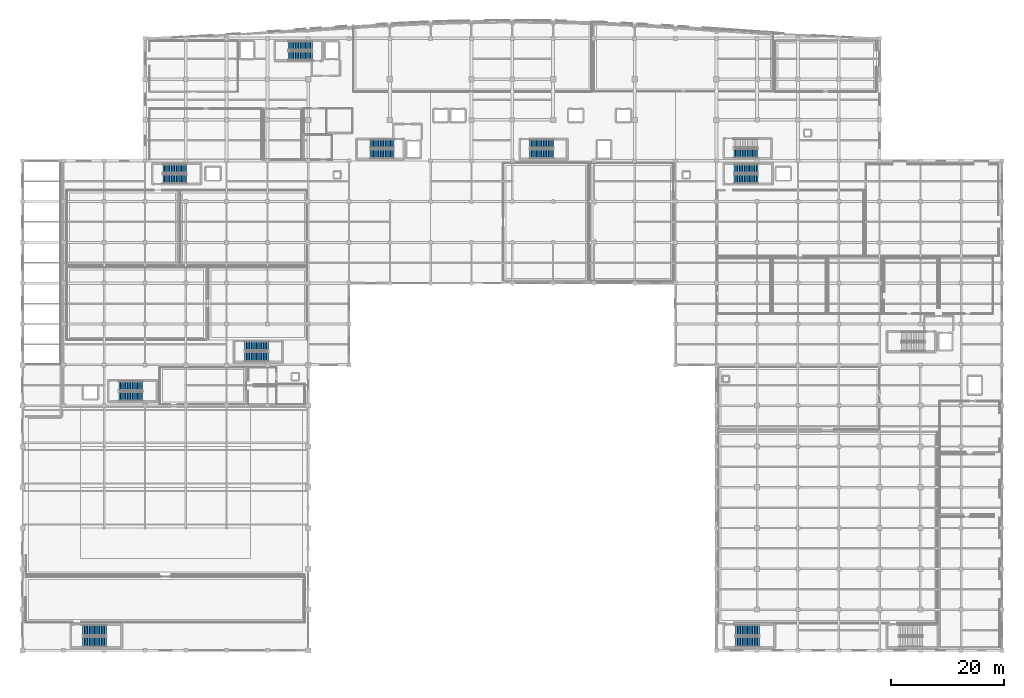
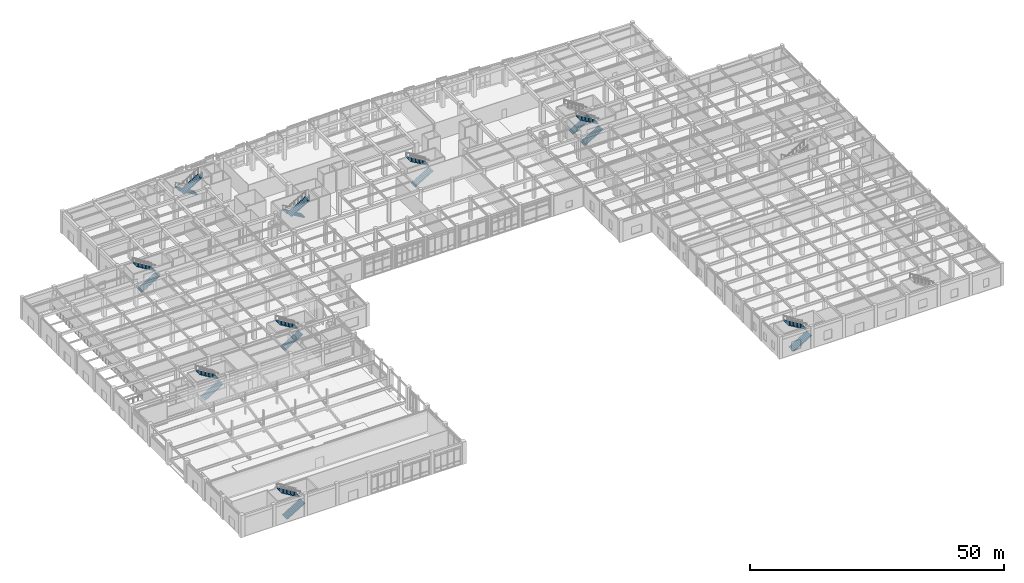
# One storey, part 84 of 102: 19 stair flights, 10 elements without a shape of their own.
"""IFC4 building model written with IfcOpenShell, lengths in metres."""

from ifc_helpers import new_model, si_unit, direction, frame, origin, place, context, subcontext, project, spatial, polyline, outline, extrude, material, type_object, element, aggregate, save


model = new_model("IFC4")

# Units and contexts
model_context = context("Model", 3, precision=1e-05, world=origin(), true_north=direction((0.0, 1.0)))
body_context = subcontext(model_context, "Body", "Model", "MODEL_VIEW")
ifc_project = project(units=[si_unit("LENGTHUNIT", "METRE"), si_unit("AREAUNIT", "SQUARE_METRE"), si_unit("VOLUMEUNIT", "CUBIC_METRE"), si_unit("PLANEANGLEUNIT", "RADIAN"), si_unit("MASSUNIT", "GRAM", prefix="KILO")], contexts=[model_context])

# Site, building, storey
site_placement = place(None, origin())
site = spatial("IfcSite", under=ifc_project, at=site_placement, CompositionType="ELEMENT")
building_placement = place(site_placement, origin())
building = spatial("IfcBuilding", under=site, at=building_placement, Name="Carrowvane Square Congress Hotel", CompositionType="ELEMENT")
storey_placement = place(building_placement, origin())
storey = spatial("IfcBuildingStorey", under=building, at=storey_placement, Name="L00", CompositionType="ELEMENT", Elevation=0.0)

# Stair, stair flights
ifc_material_1 = material(Name="Concrete C35/45", Category="concrete")
stair_type_1 = type_object("IfcStairType", Name="STR-DOG-02", PredefinedType="HALF_TURN_STAIR", material=ifc_material_1)
stair_1_placement = place(storey_placement, origin())
stair_1 = element("IfcStair", 1, at=stair_1_placement, inside=storey, type_object=stair_type_1, Name="L00 Core C1 West Hotel Firefighting Stair", PredefinedType="HALF_TURN_STAIR")
ifc_material_2 = material(Name="Concrete C35/45", Category="concrete")
stair_flight_type_1 = type_object("IfcStairFlightType", Name="SFL-STR-02", PredefinedType="STRAIGHT", material=ifc_material_2)
stair_flight_1_placement = place(storey_placement, frame((62.719970703125, 112.110107421875, 0.0), z_axis=(0.0, 0.0, 1.0), x_axis=(-1.0, 0.0, 0.0)))
stair_flight_1 = element("IfcStairFlight", 2, at=stair_flight_1_placement, type_object=stair_flight_type_1, Name="ST1 flight 1", NumberOfRisers=15, NumberOfTreads=14, PredefinedType="STRAIGHT", RiserHeight=0.18, TreadLength=0.3, context=body_context, shape_type="SweptSolid", body=[
    extrude(outline(polyline([(0.0, 0.0), (0.0, 0.179931640625), (0.300048828125, 0.179931640625), (0.300048828125, 0.360107421875), (0.60009765625, 0.360107421875), (0.60009765625, 0.5400390625), (0.89990234375, 0.5400390625), (0.89990234375, 0.719970703125), (1.199951171875, 0.719970703125), (1.199951171875, 0.89990234375), (1.5, 0.89990234375), (1.5, 1.080078125), (1.800048828125, 1.080078125), (1.800048828125, 1.260009765625), (2.10009765625, 1.260009765625), (2.10009765625, 1.43994140625), (2.39990234375, 1.43994140625), (2.39990234375, 1.6201171875), (2.699951171875, 1.6201171875), (2.699951171875, 1.800048828125), (3.0, 1.800048828125), (3.0, 1.97998046875), (3.300048828125, 1.97998046875), (3.300048828125, 2.159912109375), (3.60009765625, 2.159912109375), (3.60009765625, 2.340087890625), (3.89990234375, 2.340087890625), (3.89990234375, 2.52001953125), (4.199951171875, 2.52001953125), (4.199951171875, 2.699951171875), (4.199951171875, 2.34521484375), (0.291259765625, 0.0), (0.0, 0.0)])), frame((0.0, 0.7900390625, 0.0), z_axis=(0.0, -1.0, 0.0), x_axis=(1.0, 0.0, 0.0)), (0.0, 0.0, 1.0), 1.580078125),
])
stair_flight_2_placement = place(storey_placement, frame((58.52001953125, 110.330078125, 2.699951171875), z_axis=(0.0, 0.0, 1.0), x_axis=(1.0, 0.0, 0.0)))
stair_flight_2 = element("IfcStairFlight", 3, at=stair_flight_2_placement, type_object=stair_flight_type_1, Name="ST1 flight 2", NumberOfRisers=15, NumberOfTreads=14, PredefinedType="STRAIGHT", RiserHeight=0.18, TreadLength=0.3, context=body_context, shape_type="SweptSolid", body=[
    extrude(outline(polyline([(0.0, 0.0), (0.0, 0.179931640625), (0.300048828125, 0.179931640625), (0.300048828125, 0.360107421875), (0.60009765625, 0.360107421875), (0.60009765625, 0.5400390625), (0.89990234375, 0.5400390625), (0.89990234375, 0.719970703125), (1.199951171875, 0.719970703125), (1.199951171875, 0.89990234375), (1.5, 0.89990234375), (1.5, 1.080078125), (1.800048828125, 1.080078125), (1.800048828125, 1.260009765625), (2.10009765625, 1.260009765625), (2.10009765625, 1.43994140625), (2.39990234375, 1.43994140625), (2.39990234375, 1.6201171875), (2.699951171875, 1.6201171875), (2.699951171875, 1.800048828125), (3.0, 1.800048828125), (3.0, 1.97998046875), (3.300048828125, 1.97998046875), (3.300048828125, 2.159912109375), (3.60009765625, 2.159912109375), (3.60009765625, 2.340087890625), (3.89990234375, 2.340087890625), (3.89990234375, 2.52001953125), (4.199951171875, 2.52001953125), (4.199951171875, 2.699951171875), (4.199951171875, 2.34521484375), (0.291259765625, 0.0), (0.0, 0.0)])), frame((0.0, 0.7900390625, 0.0), z_axis=(0.0, -1.0, 0.0), x_axis=(1.0, 0.0, 0.0)), (0.0, 0.0, 1.0), 1.580078125),
])
aggregate(stair_1, [stair_flight_1, stair_flight_2])

stair_2_placement = place(storey_placement, origin())
stair_2 = element("IfcStair", 4, at=stair_2_placement, inside=storey, type_object=stair_type_1, Name="L00 Core C2 Central Hotel Firefighting Stair", PredefinedType="HALF_TURN_STAIR")
stair_flight_3_placement = place(storey_placement, frame((77.1201171875, 94.77001953125, 0.0), z_axis=(0.0, 0.0, 1.0), x_axis=(-1.0, 0.0, 0.0)))
stair_flight_3 = element("IfcStairFlight", 5, at=stair_flight_3_placement, type_object=stair_flight_type_1, Name="ST2 flight 1", NumberOfRisers=15, NumberOfTreads=14, PredefinedType="STRAIGHT", RiserHeight=0.18, TreadLength=0.3, context=body_context, shape_type="SweptSolid", body=[
    extrude(outline(polyline([(0.0, 0.0), (0.0, 0.179931640625), (0.300048828125, 0.179931640625), (0.300048828125, 0.360107421875), (0.60009765625, 0.360107421875), (0.60009765625, 0.5400390625), (0.89990234375, 0.5400390625), (0.89990234375, 0.719970703125), (1.199951171875, 0.719970703125), (1.199951171875, 0.89990234375), (1.5, 0.89990234375), (1.5, 1.080078125), (1.800048828125, 1.080078125), (1.800048828125, 1.260009765625), (2.10009765625, 1.260009765625), (2.10009765625, 1.43994140625), (2.39990234375, 1.43994140625), (2.39990234375, 1.6201171875), (2.699951171875, 1.6201171875), (2.699951171875, 1.800048828125), (3.0, 1.800048828125), (3.0, 1.97998046875), (3.300048828125, 1.97998046875), (3.300048828125, 2.159912109375), (3.60009765625, 2.159912109375), (3.60009765625, 2.340087890625), (3.89990234375, 2.340087890625), (3.89990234375, 2.52001953125), (4.199951171875, 2.52001953125), (4.199951171875, 2.699951171875), (4.199951171875, 2.34521484375), (0.291259765625, 0.0), (0.0, 0.0)])), frame((0.0, 0.7900390625, 0.0), z_axis=(0.0, -1.0, 0.0), x_axis=(1.0, 0.0, 0.0)), (0.0, 0.0, 1.0), 1.580078125),
])
stair_flight_4_placement = place(storey_placement, frame((72.919921875, 92.989990234375, 2.699951171875), z_axis=(0.0, 0.0, 1.0), x_axis=(1.0, 0.0, 0.0)))
stair_flight_4 = element("IfcStairFlight", 6, at=stair_flight_4_placement, type_object=stair_flight_type_1, Name="ST2 flight 2", NumberOfRisers=15, NumberOfTreads=14, PredefinedType="STRAIGHT", RiserHeight=0.18, TreadLength=0.3, context=body_context, shape_type="SweptSolid", body=[
    extrude(outline(polyline([(0.0, 0.0), (0.0, 0.179931640625), (0.300048828125, 0.179931640625), (0.300048828125, 0.360107421875), (0.60009765625, 0.360107421875), (0.60009765625, 0.5400390625), (0.89990234375, 0.5400390625), (0.89990234375, 0.719970703125), (1.199951171875, 0.719970703125), (1.199951171875, 0.89990234375), (1.5, 0.89990234375), (1.5, 1.080078125), (1.800048828125, 1.080078125), (1.800048828125, 1.260009765625), (2.10009765625, 1.260009765625), (2.10009765625, 1.43994140625), (2.39990234375, 1.43994140625), (2.39990234375, 1.6201171875), (2.699951171875, 1.6201171875), (2.699951171875, 1.800048828125), (3.0, 1.800048828125), (3.0, 1.97998046875), (3.300048828125, 1.97998046875), (3.300048828125, 2.159912109375), (3.60009765625, 2.159912109375), (3.60009765625, 2.340087890625), (3.89990234375, 2.340087890625), (3.89990234375, 2.52001953125), (4.199951171875, 2.52001953125), (4.199951171875, 2.699951171875), (4.199951171875, 2.34521484375), (0.291259765625, 0.0), (0.0, 0.0)])), frame((0.0, 0.7900390625, 0.0), z_axis=(0.0, -1.0, 0.0), x_axis=(1.0, 0.0, 0.0)), (0.0, 0.0, 1.0), 1.580078125),
])
aggregate(stair_2, [stair_flight_3, stair_flight_4])

stair_3_placement = place(storey_placement, origin())
stair_3 = element("IfcStair", 7, at=stair_3_placement, inside=storey, type_object=stair_type_1, Name="L00 Core C3 East Hotel Escape Stair", PredefinedType="HALF_TURN_STAIR")
stair_flight_5_placement = place(storey_placement, frame((101.080078125, 92.989990234375, 0.0), z_axis=(0.0, 0.0, 1.0), x_axis=(1.0, 0.0, 0.0)))
stair_flight_5 = element("IfcStairFlight", 8, at=stair_flight_5_placement, type_object=stair_flight_type_1, Name="ST3 flight 1", NumberOfRisers=15, NumberOfTreads=14, PredefinedType="STRAIGHT", RiserHeight=0.18, TreadLength=0.3, context=body_context, shape_type="SweptSolid", body=[
    extrude(outline(polyline([(0.0, 0.0), (0.0, 0.179931640625), (0.300048828125, 0.179931640625), (0.300048828125, 0.360107421875), (0.60009765625, 0.360107421875), (0.60009765625, 0.5400390625), (0.89990234375, 0.5400390625), (0.89990234375, 0.719970703125), (1.199951171875, 0.719970703125), (1.199951171875, 0.89990234375), (1.5, 0.89990234375), (1.5, 1.080078125), (1.800048828125, 1.080078125), (1.800048828125, 1.260009765625), (2.10009765625, 1.260009765625), (2.10009765625, 1.43994140625), (2.39990234375, 1.43994140625), (2.39990234375, 1.6201171875), (2.699951171875, 1.6201171875), (2.699951171875, 1.800048828125), (3.0, 1.800048828125), (3.0, 1.97998046875), (3.300048828125, 1.97998046875), (3.300048828125, 2.159912109375), (3.60009765625, 2.159912109375), (3.60009765625, 2.340087890625), (3.89990234375, 2.340087890625), (3.89990234375, 2.52001953125), (4.199951171875, 2.52001953125), (4.199951171875, 2.699951171875), (4.199951171875, 2.34521484375), (0.291259765625, 0.0), (0.0, 0.0)])), frame((0.0, 0.7900390625, 0.0), z_axis=(0.0, -1.0, 0.0), x_axis=(1.0, 0.0, 0.0)), (0.0, 0.0, 1.0), 1.580078125),
])
stair_flight_6_placement = place(storey_placement, frame((105.280029296875, 94.77001953125, 2.699951171875), z_axis=(0.0, 0.0, 1.0), x_axis=(-1.0, 0.0, 0.0)))
stair_flight_6 = element("IfcStairFlight", 9, at=stair_flight_6_placement, type_object=stair_flight_type_1, Name="ST3 flight 2", NumberOfRisers=15, NumberOfTreads=14, PredefinedType="STRAIGHT", RiserHeight=0.18, TreadLength=0.3, context=body_context, shape_type="SweptSolid", body=[
    extrude(outline(polyline([(0.0, 0.0), (0.0, 0.179931640625), (0.300048828125, 0.179931640625), (0.300048828125, 0.360107421875), (0.60009765625, 0.360107421875), (0.60009765625, 0.5400390625), (0.89990234375, 0.5400390625), (0.89990234375, 0.719970703125), (1.199951171875, 0.719970703125), (1.199951171875, 0.89990234375), (1.5, 0.89990234375), (1.5, 1.080078125), (1.800048828125, 1.080078125), (1.800048828125, 1.260009765625), (2.10009765625, 1.260009765625), (2.10009765625, 1.43994140625), (2.39990234375, 1.43994140625), (2.39990234375, 1.6201171875), (2.699951171875, 1.6201171875), (2.699951171875, 1.800048828125), (3.0, 1.800048828125), (3.0, 1.97998046875), (3.300048828125, 1.97998046875), (3.300048828125, 2.159912109375), (3.60009765625, 2.159912109375), (3.60009765625, 2.340087890625), (3.89990234375, 2.340087890625), (3.89990234375, 2.52001953125), (4.199951171875, 2.52001953125), (4.199951171875, 2.699951171875), (4.199951171875, 2.34521484375), (0.291259765625, 0.0), (0.0, 0.0)])), frame((0.0, 0.7900390625, 0.0), z_axis=(0.0, -1.0, 0.0), x_axis=(1.0, 0.0, 0.0)), (0.0, 0.0, 1.0), 1.580078125),
])
aggregate(stair_3, [stair_flight_5, stair_flight_6])

# Stair, stair flight
stair_4_placement = place(storey_placement, origin())
stair_4 = element("IfcStair", 10, at=stair_4_placement, inside=storey, type_object=stair_type_1, Name="L00 East Hotel Wing Escape Stair", PredefinedType="HALF_TURN_STAIR")
stair_flight_7_placement = place(storey_placement, frame((137.080078125, 93.090087890625, 0.0), z_axis=(0.0, 0.0, 1.0), x_axis=(1.0, 0.0, 0.0)))
stair_flight_7 = element("IfcStairFlight", 11, at=stair_flight_7_placement, type_object=stair_flight_type_1, Name="ST12 flight 1", NumberOfRisers=15, NumberOfTreads=14, PredefinedType="STRAIGHT", RiserHeight=0.18, TreadLength=0.3, context=body_context, shape_type="SweptSolid", body=[
    extrude(outline(polyline([(0.0, 0.0), (0.0, 0.179931640625), (0.300048828125, 0.179931640625), (0.300048828125, 0.360107421875), (0.60009765625, 0.360107421875), (0.60009765625, 0.5400390625), (0.89990234375, 0.5400390625), (0.89990234375, 0.719970703125), (1.199951171875, 0.719970703125), (1.199951171875, 0.89990234375), (1.5, 0.89990234375), (1.5, 1.080078125), (1.800048828125, 1.080078125), (1.800048828125, 1.260009765625), (2.10009765625, 1.260009765625), (2.10009765625, 1.43994140625), (2.39990234375, 1.43994140625), (2.39990234375, 1.6201171875), (2.699951171875, 1.6201171875), (2.699951171875, 1.800048828125), (3.0, 1.800048828125), (3.0, 1.97998046875), (3.300048828125, 1.97998046875), (3.300048828125, 2.159912109375), (3.60009765625, 2.159912109375), (3.60009765625, 2.340087890625), (3.89990234375, 2.340087890625), (3.89990234375, 2.52001953125), (4.199951171875, 2.52001953125), (4.199951171875, 2.699951171875), (4.199951171875, 2.34521484375), (0.291259765625, 0.0), (0.0, 0.0)])), frame((0.0, 0.7900390625, 0.0), z_axis=(0.0, -1.0, 0.0), x_axis=(1.0, 0.0, 0.0)), (0.0, 0.0, 1.0), 1.580078125),
])
aggregate(stair_4, [stair_flight_7])

# Stair, stair flights
ifc_material_3 = material(Name="Concrete C35/45", Category="concrete")
stair_type_2 = type_object("IfcStairType", Name="STR-DOG-06", PredefinedType="HALF_TURN_STAIR", material=ifc_material_3)
stair_5_placement = place(storey_placement, origin())
stair_5 = element("IfcStair", 12, at=stair_5_placement, inside=storey, type_object=stair_type_2, Name="L00 Core C5 West Spa Escape Stair", PredefinedType="HALF_TURN_STAIR")
ifc_material_4 = material(Name="Concrete C35/45", Category="concrete")
stair_flight_type_2 = type_object("IfcStairFlightType", Name="SFL-STR-06", PredefinedType="STRAIGHT", material=ifc_material_4)
stair_flight_8_placement = place(storey_placement, frame((36.35009765625, 88.60009765625, 0.0), z_axis=(0.0, 0.0, 1.0), x_axis=(1.0, 0.0, 0.0)))
stair_flight_8 = element("IfcStairFlight", 13, at=stair_flight_8_placement, type_object=stair_flight_type_2, Name="ST5 flight 1", NumberOfRisers=15, NumberOfTreads=14, PredefinedType="STRAIGHT", RiserHeight=0.18, TreadLength=0.3, context=body_context, shape_type="SweptSolid", body=[
    extrude(outline(polyline([(0.0, 0.0), (0.0, 0.179931640625), (0.300048828125, 0.179931640625), (0.300048828125, 0.360107421875), (0.60009765625, 0.360107421875), (0.60009765625, 0.5400390625), (0.89990234375, 0.5400390625), (0.89990234375, 0.719970703125), (1.199951171875, 0.719970703125), (1.199951171875, 0.89990234375), (1.5, 0.89990234375), (1.5, 1.080078125), (1.800048828125, 1.080078125), (1.800048828125, 1.260009765625), (2.10009765625, 1.260009765625), (2.10009765625, 1.43994140625), (2.39990234375, 1.43994140625), (2.39990234375, 1.6201171875), (2.699951171875, 1.6201171875), (2.699951171875, 1.800048828125), (3.0, 1.800048828125), (3.0, 1.97998046875), (3.300048828125, 1.97998046875), (3.300048828125, 2.159912109375), (3.60009765625, 2.159912109375), (3.60009765625, 2.340087890625), (3.89990234375, 2.340087890625), (3.89990234375, 2.52001953125), (4.199951171875, 2.52001953125), (4.199951171875, 2.699951171875), (4.199951171875, 2.34521484375), (0.291259765625, 0.0), (0.0, 0.0)])), frame((0.0, 0.800048828125, 0.0), z_axis=(0.0, -1.0, 0.0), x_axis=(1.0, 0.0, 0.0)), (0.0, 0.0, 1.0), 1.60009765625),
])
stair_flight_9_placement = place(storey_placement, frame((40.550048828125, 90.39990234375, 2.699951171875), z_axis=(0.0, 0.0, 1.0), x_axis=(-1.0, 0.0, 0.0)))
stair_flight_9 = element("IfcStairFlight", 14, at=stair_flight_9_placement, type_object=stair_flight_type_2, Name="ST5 flight 2", NumberOfRisers=15, NumberOfTreads=14, PredefinedType="STRAIGHT", RiserHeight=0.18, TreadLength=0.3, context=body_context, shape_type="SweptSolid", body=[
    extrude(outline(polyline([(0.0, 0.0), (0.0, 0.179931640625), (0.300048828125, 0.179931640625), (0.300048828125, 0.360107421875), (0.60009765625, 0.360107421875), (0.60009765625, 0.5400390625), (0.89990234375, 0.5400390625), (0.89990234375, 0.719970703125), (1.199951171875, 0.719970703125), (1.199951171875, 0.89990234375), (1.5, 0.89990234375), (1.5, 1.080078125), (1.800048828125, 1.080078125), (1.800048828125, 1.260009765625), (2.10009765625, 1.260009765625), (2.10009765625, 1.43994140625), (2.39990234375, 1.43994140625), (2.39990234375, 1.6201171875), (2.699951171875, 1.6201171875), (2.699951171875, 1.800048828125), (3.0, 1.800048828125), (3.0, 1.97998046875), (3.300048828125, 1.97998046875), (3.300048828125, 2.159912109375), (3.60009765625, 2.159912109375), (3.60009765625, 2.340087890625), (3.89990234375, 2.340087890625), (3.89990234375, 2.52001953125), (4.199951171875, 2.52001953125), (4.199951171875, 2.699951171875), (4.199951171875, 2.34521484375), (0.291259765625, 0.0), (0.0, 0.0)])), frame((0.0, 0.800048828125, 0.0), z_axis=(0.0, -1.0, 0.0), x_axis=(1.0, 0.0, 0.0)), (0.0, 0.0, 1.0), 1.60009765625),
])
aggregate(stair_5, [stair_flight_8, stair_flight_9])

stair_6_placement = place(storey_placement, origin())
stair_6 = element("IfcStair", 15, at=stair_6_placement, inside=storey, type_object=stair_type_2, Name="L00 Meeting Wing Escape Stair", PredefinedType="HALF_TURN_STAIR")
stair_flight_10_placement = place(storey_placement, frame((137.14990234375, 88.60009765625, 0.0), z_axis=(0.0, 0.0, 1.0), x_axis=(1.0, 0.0, 0.0)))
stair_flight_10 = element("IfcStairFlight", 16, at=stair_flight_10_placement, type_object=stair_flight_type_2, Name="ST8 flight 1", NumberOfRisers=15, NumberOfTreads=14, PredefinedType="STRAIGHT", RiserHeight=0.18, TreadLength=0.3, context=body_context, shape_type="SweptSolid", body=[
    extrude(outline(polyline([(0.0, 0.0), (0.0, 0.179931640625), (0.300048828125, 0.179931640625), (0.300048828125, 0.360107421875), (0.60009765625, 0.360107421875), (0.60009765625, 0.5400390625), (0.89990234375, 0.5400390625), (0.89990234375, 0.719970703125), (1.199951171875, 0.719970703125), (1.199951171875, 0.89990234375), (1.5, 0.89990234375), (1.5, 1.080078125), (1.800048828125, 1.080078125), (1.800048828125, 1.260009765625), (2.10009765625, 1.260009765625), (2.10009765625, 1.43994140625), (2.39990234375, 1.43994140625), (2.39990234375, 1.6201171875), (2.699951171875, 1.6201171875), (2.699951171875, 1.800048828125), (3.0, 1.800048828125), (3.0, 1.97998046875), (3.300048828125, 1.97998046875), (3.300048828125, 2.159912109375), (3.60009765625, 2.159912109375), (3.60009765625, 2.340087890625), (3.89990234375, 2.340087890625), (3.89990234375, 2.52001953125), (4.199951171875, 2.52001953125), (4.199951171875, 2.699951171875), (4.199951171875, 2.34521484375), (0.291259765625, 0.0), (0.0, 0.0)])), frame((0.0, 0.800048828125, 0.0), z_axis=(0.0, -1.0, 0.0), x_axis=(1.0, 0.0, 0.0)), (0.0, 0.0, 1.0), 1.60009765625),
])
stair_flight_11_placement = place(storey_placement, frame((141.35009765625, 90.39990234375, 2.699951171875), z_axis=(0.0, 0.0, 1.0), x_axis=(-1.0, 0.0, 0.0)))
stair_flight_11 = element("IfcStairFlight", 17, at=stair_flight_11_placement, type_object=stair_flight_type_2, Name="ST8 flight 2", NumberOfRisers=15, NumberOfTreads=14, PredefinedType="STRAIGHT", RiserHeight=0.18, TreadLength=0.3, context=body_context, shape_type="SweptSolid", body=[
    extrude(outline(polyline([(0.0, 0.0), (0.0, 0.179931640625), (0.300048828125, 0.179931640625), (0.300048828125, 0.360107421875), (0.60009765625, 0.360107421875), (0.60009765625, 0.5400390625), (0.89990234375, 0.5400390625), (0.89990234375, 0.719970703125), (1.199951171875, 0.719970703125), (1.199951171875, 0.89990234375), (1.5, 0.89990234375), (1.5, 1.080078125), (1.800048828125, 1.080078125), (1.800048828125, 1.260009765625), (2.10009765625, 1.260009765625), (2.10009765625, 1.43994140625), (2.39990234375, 1.43994140625), (2.39990234375, 1.6201171875), (2.699951171875, 1.6201171875), (2.699951171875, 1.800048828125), (3.0, 1.800048828125), (3.0, 1.97998046875), (3.300048828125, 1.97998046875), (3.300048828125, 2.159912109375), (3.60009765625, 2.159912109375), (3.60009765625, 2.340087890625), (3.89990234375, 2.340087890625), (3.89990234375, 2.52001953125), (4.199951171875, 2.52001953125), (4.199951171875, 2.699951171875), (4.199951171875, 2.34521484375), (0.291259765625, 0.0), (0.0, 0.0)])), frame((0.0, 0.800048828125, 0.0), z_axis=(0.0, -1.0, 0.0), x_axis=(1.0, 0.0, 0.0)), (0.0, 0.0, 1.0), 1.60009765625),
])
aggregate(stair_6, [stair_flight_10, stair_flight_11])

ifc_material_5 = material(Name="Concrete C35/45", Category="concrete")
stair_type_3 = type_object("IfcStairType", Name="STR-DOG-09", PredefinedType="HALF_TURN_STAIR", material=ifc_material_5)
stair_7_placement = place(storey_placement, origin())
stair_7 = element("IfcStair", 18, at=stair_7_placement, inside=storey, type_object=stair_type_3, Name="L00 Plenary North-West Escape Stair", PredefinedType="HALF_TURN_STAIR")
ifc_material_6 = material(Name="Concrete C35/45", Category="concrete")
stair_flight_type_3 = type_object("IfcStairFlightType", Name="SFL-STR-09", PredefinedType="STRAIGHT", material=ifc_material_6)
stair_flight_12_placement = place(storey_placement, frame((28.580078125, 50.22998046875, 0.0), z_axis=(0.0, 0.0, 1.0), x_axis=(1.0, 0.0, 0.0)))
stair_flight_12 = element("IfcStairFlight", 19, at=stair_flight_12_placement, type_object=stair_flight_type_3, Name="ST6 flight 1", NumberOfRisers=15, NumberOfTreads=14, PredefinedType="STRAIGHT", RiserHeight=0.18, TreadLength=0.3, context=body_context, shape_type="SweptSolid", body=[
    extrude(outline(polyline([(0.0, 0.0), (0.0, 0.179931640625), (0.300048828125, 0.179931640625), (0.300048828125, 0.360107421875), (0.60009765625, 0.360107421875), (0.60009765625, 0.5400390625), (0.89990234375, 0.5400390625), (0.89990234375, 0.719970703125), (1.199951171875, 0.719970703125), (1.199951171875, 0.89990234375), (1.5, 0.89990234375), (1.5, 1.080078125), (1.800048828125, 1.080078125), (1.800048828125, 1.260009765625), (2.10009765625, 1.260009765625), (2.10009765625, 1.43994140625), (2.39990234375, 1.43994140625), (2.39990234375, 1.6201171875), (2.699951171875, 1.6201171875), (2.699951171875, 1.800048828125), (3.0, 1.800048828125), (3.0, 1.97998046875), (3.300048828125, 1.97998046875), (3.300048828125, 2.159912109375), (3.60009765625, 2.159912109375), (3.60009765625, 2.340087890625), (3.89990234375, 2.340087890625), (3.89990234375, 2.52001953125), (4.199951171875, 2.52001953125), (4.199951171875, 2.699951171875), (4.199951171875, 2.34521484375), (0.291259765625, 0.0), (0.0, 0.0)])), frame((0.0, 0.830078125, 0.0), z_axis=(0.0, -1.0, 0.0), x_axis=(1.0, 0.0, 0.0)), (0.0, 0.0, 1.0), 1.659912109375),
])
stair_flight_13_placement = place(storey_placement, frame((32.780029296875, 52.090087890625, 2.699951171875), z_axis=(0.0, 0.0, 1.0), x_axis=(-1.0, 0.0, 0.0)))
stair_flight_13 = element("IfcStairFlight", 20, at=stair_flight_13_placement, type_object=stair_flight_type_3, Name="ST6 flight 2", NumberOfRisers=15, NumberOfTreads=14, PredefinedType="STRAIGHT", RiserHeight=0.18, TreadLength=0.3, context=body_context, shape_type="SweptSolid", body=[
    extrude(outline(polyline([(0.0, 0.0), (0.0, 0.179931640625), (0.300048828125, 0.179931640625), (0.300048828125, 0.360107421875), (0.60009765625, 0.360107421875), (0.60009765625, 0.5400390625), (0.89990234375, 0.5400390625), (0.89990234375, 0.719970703125), (1.199951171875, 0.719970703125), (1.199951171875, 0.89990234375), (1.5, 0.89990234375), (1.5, 1.080078125), (1.800048828125, 1.080078125), (1.800048828125, 1.260009765625), (2.10009765625, 1.260009765625), (2.10009765625, 1.43994140625), (2.39990234375, 1.43994140625), (2.39990234375, 1.6201171875), (2.699951171875, 1.6201171875), (2.699951171875, 1.800048828125), (3.0, 1.800048828125), (3.0, 1.97998046875), (3.300048828125, 1.97998046875), (3.300048828125, 2.159912109375), (3.60009765625, 2.159912109375), (3.60009765625, 2.340087890625), (3.89990234375, 2.340087890625), (3.89990234375, 2.52001953125), (4.199951171875, 2.52001953125), (4.199951171875, 2.699951171875), (4.199951171875, 2.34521484375), (0.291259765625, 0.0), (0.0, 0.0)])), frame((0.0, 0.830078125, 0.0), z_axis=(0.0, -1.0, 0.0), x_axis=(1.0, 0.0, 0.0)), (0.0, 0.0, 1.0), 1.659912109375),
])
aggregate(stair_7, [stair_flight_12, stair_flight_13])

stair_8_placement = place(storey_placement, origin())
stair_8 = element("IfcStair", 21, at=stair_8_placement, inside=storey, type_object=stair_type_3, Name="L00 Spa Courtyard Escape Stair", PredefinedType="HALF_TURN_STAIR")
stair_flight_14_placement = place(storey_placement, frame((50.780029296875, 57.22998046875, 0.0), z_axis=(0.0, 0.0, 1.0), x_axis=(1.0, 0.0, 0.0)))
stair_flight_14 = element("IfcStairFlight", 22, at=stair_flight_14_placement, type_object=stair_flight_type_3, Name="ST7 flight 1", NumberOfRisers=15, NumberOfTreads=14, PredefinedType="STRAIGHT", RiserHeight=0.18, TreadLength=0.3, context=body_context, shape_type="SweptSolid", body=[
    extrude(outline(polyline([(0.0, 0.0), (0.0, 0.179931640625), (0.300048828125, 0.179931640625), (0.300048828125, 0.360107421875), (0.60009765625, 0.360107421875), (0.60009765625, 0.5400390625), (0.89990234375, 0.5400390625), (0.89990234375, 0.719970703125), (1.199951171875, 0.719970703125), (1.199951171875, 0.89990234375), (1.5, 0.89990234375), (1.5, 1.080078125), (1.800048828125, 1.080078125), (1.800048828125, 1.260009765625), (2.10009765625, 1.260009765625), (2.10009765625, 1.43994140625), (2.39990234375, 1.43994140625), (2.39990234375, 1.6201171875), (2.699951171875, 1.6201171875), (2.699951171875, 1.800048828125), (3.0, 1.800048828125), (3.0, 1.97998046875), (3.300048828125, 1.97998046875), (3.300048828125, 2.159912109375), (3.60009765625, 2.159912109375), (3.60009765625, 2.340087890625), (3.89990234375, 2.340087890625), (3.89990234375, 2.52001953125), (4.199951171875, 2.52001953125), (4.199951171875, 2.699951171875), (4.199951171875, 2.34521484375), (0.291259765625, 0.0), (0.0, 0.0)])), frame((0.0, 0.830078125, 0.0), z_axis=(0.0, -1.0, 0.0), x_axis=(1.0, 0.0, 0.0)), (0.0, 0.0, 1.0), 1.659912109375),
])
stair_flight_15_placement = place(storey_placement, frame((54.97998046875, 59.090087890625, 2.699951171875), z_axis=(0.0, 0.0, 1.0), x_axis=(-1.0, 0.0, 0.0)))
stair_flight_15 = element("IfcStairFlight", 23, at=stair_flight_15_placement, type_object=stair_flight_type_3, Name="ST7 flight 2", NumberOfRisers=15, NumberOfTreads=14, PredefinedType="STRAIGHT", RiserHeight=0.18, TreadLength=0.3, context=body_context, shape_type="SweptSolid", body=[
    extrude(outline(polyline([(0.0, 0.0), (0.0, 0.179931640625), (0.300048828125, 0.179931640625), (0.300048828125, 0.360107421875), (0.60009765625, 0.360107421875), (0.60009765625, 0.5400390625), (0.89990234375, 0.5400390625), (0.89990234375, 0.719970703125), (1.199951171875, 0.719970703125), (1.199951171875, 0.89990234375), (1.5, 0.89990234375), (1.5, 1.080078125), (1.800048828125, 1.080078125), (1.800048828125, 1.260009765625), (2.10009765625, 1.260009765625), (2.10009765625, 1.43994140625), (2.39990234375, 1.43994140625), (2.39990234375, 1.6201171875), (2.699951171875, 1.6201171875), (2.699951171875, 1.800048828125), (3.0, 1.800048828125), (3.0, 1.97998046875), (3.300048828125, 1.97998046875), (3.300048828125, 2.159912109375), (3.60009765625, 2.159912109375), (3.60009765625, 2.340087890625), (3.89990234375, 2.340087890625), (3.89990234375, 2.52001953125), (4.199951171875, 2.52001953125), (4.199951171875, 2.699951171875), (4.199951171875, 2.34521484375), (0.291259765625, 0.0), (0.0, 0.0)])), frame((0.0, 0.830078125, 0.0), z_axis=(0.0, -1.0, 0.0), x_axis=(1.0, 0.0, 0.0)), (0.0, 0.0, 1.0), 1.659912109375),
])
aggregate(stair_8, [stair_flight_14, stair_flight_15])

ifc_material_7 = material(Name="Concrete C35/45", Category="concrete")
stair_type_4 = type_object("IfcStairType", Name="STR-DOG-12", PredefinedType="HALF_TURN_STAIR", material=ifc_material_7)
stair_9_placement = place(storey_placement, origin())
stair_9 = element("IfcStair", 24, at=stair_9_placement, inside=storey, type_object=stair_type_4, Name="L00 Plenary South Assembly Stair", PredefinedType="HALF_TURN_STAIR")
ifc_material_8 = material(Name="Concrete C35/45", Category="concrete")
stair_flight_type_4 = type_object("IfcStairFlightType", Name="SFL-STR-12", PredefinedType="STRAIGHT", material=ifc_material_8)
stair_flight_16_placement = place(storey_placement, frame((22.199951171875, 6.925048828125, 0.0), z_axis=(0.0, 0.0, 1.0), x_axis=(1.0, 0.0, 0.0)))
stair_flight_16 = element("IfcStairFlight", 25, at=stair_flight_16_placement, type_object=stair_flight_type_4, Name="ST9 flight 1", NumberOfRisers=15, NumberOfTreads=14, PredefinedType="STRAIGHT", RiserHeight=0.18, TreadLength=0.3, context=body_context, shape_type="SweptSolid", body=[
    extrude(outline(polyline([(0.0, 0.0), (0.0, 0.179931640625), (0.300048828125, 0.179931640625), (0.300048828125, 0.360107421875), (0.60009765625, 0.360107421875), (0.60009765625, 0.5400390625), (0.89990234375, 0.5400390625), (0.89990234375, 0.719970703125), (1.199951171875, 0.719970703125), (1.199951171875, 0.89990234375), (1.5, 0.89990234375), (1.5, 1.080078125), (1.800048828125, 1.080078125), (1.800048828125, 1.260009765625), (2.10009765625, 1.260009765625), (2.10009765625, 1.43994140625), (2.39990234375, 1.43994140625), (2.39990234375, 1.6201171875), (2.699951171875, 1.6201171875), (2.699951171875, 1.800048828125), (3.0, 1.800048828125), (3.0, 1.97998046875), (3.300048828125, 1.97998046875), (3.300048828125, 2.159912109375), (3.60009765625, 2.159912109375), (3.60009765625, 2.340087890625), (3.89990234375, 2.340087890625), (3.89990234375, 2.52001953125), (4.199951171875, 2.52001953125), (4.199951171875, 2.699951171875), (4.199951171875, 2.34521484375), (0.291259765625, 0.0), (0.0, 0.0)])), frame((0.0, 0.925048828125, 0.0), z_axis=(0.0, -1.0, 0.0), x_axis=(1.0, 0.0, 0.0)), (0.0, 0.0, 1.0), 1.85009765625),
])
stair_flight_17_placement = place(storey_placement, frame((26.39990234375, 8.97509765625, 2.699951171875), z_axis=(0.0, 0.0, 1.0), x_axis=(-1.0, 0.0, 0.0)))
stair_flight_17 = element("IfcStairFlight", 26, at=stair_flight_17_placement, type_object=stair_flight_type_4, Name="ST9 flight 2", NumberOfRisers=15, NumberOfTreads=14, PredefinedType="STRAIGHT", RiserHeight=0.18, TreadLength=0.3, context=body_context, shape_type="SweptSolid", body=[
    extrude(outline(polyline([(0.0, 0.0), (0.0, 0.179931640625), (0.300048828125, 0.179931640625), (0.300048828125, 0.360107421875), (0.60009765625, 0.360107421875), (0.60009765625, 0.5400390625), (0.89990234375, 0.5400390625), (0.89990234375, 0.719970703125), (1.199951171875, 0.719970703125), (1.199951171875, 0.89990234375), (1.5, 0.89990234375), (1.5, 1.080078125), (1.800048828125, 1.080078125), (1.800048828125, 1.260009765625), (2.10009765625, 1.260009765625), (2.10009765625, 1.43994140625), (2.39990234375, 1.43994140625), (2.39990234375, 1.6201171875), (2.699951171875, 1.6201171875), (2.699951171875, 1.800048828125), (3.0, 1.800048828125), (3.0, 1.97998046875), (3.300048828125, 1.97998046875), (3.300048828125, 2.159912109375), (3.60009765625, 2.159912109375), (3.60009765625, 2.340087890625), (3.89990234375, 2.340087890625), (3.89990234375, 2.52001953125), (4.199951171875, 2.52001953125), (4.199951171875, 2.699951171875), (4.199951171875, 2.34521484375), (0.291259765625, 0.0), (0.0, 0.0)])), frame((0.0, 0.925048828125, 0.0), z_axis=(0.0, -1.0, 0.0), x_axis=(1.0, 0.0, 0.0)), (0.0, 0.0, 1.0), 1.85009765625),
])
aggregate(stair_9, [stair_flight_16, stair_flight_17])

stair_10_placement = place(storey_placement, origin())
stair_10 = element("IfcStair", 27, at=stair_10_placement, inside=storey, type_object=stair_type_4, Name="L00 Ballroom South-West Assembly Stair", PredefinedType="HALF_TURN_STAIR")
stair_flight_18_placement = place(storey_placement, frame((137.39990234375, 6.925048828125, 0.0), z_axis=(0.0, 0.0, 1.0), x_axis=(1.0, 0.0, 0.0)))
stair_flight_18 = element("IfcStairFlight", 28, at=stair_flight_18_placement, type_object=stair_flight_type_4, Name="ST10 flight 1", NumberOfRisers=15, NumberOfTreads=14, PredefinedType="STRAIGHT", RiserHeight=0.18, TreadLength=0.3, context=body_context, shape_type="SweptSolid", body=[
    extrude(outline(polyline([(0.0, 0.0), (0.0, 0.179931640625), (0.300048828125, 0.179931640625), (0.300048828125, 0.360107421875), (0.60009765625, 0.360107421875), (0.60009765625, 0.5400390625), (0.89990234375, 0.5400390625), (0.89990234375, 0.719970703125), (1.199951171875, 0.719970703125), (1.199951171875, 0.89990234375), (1.5, 0.89990234375), (1.5, 1.080078125), (1.800048828125, 1.080078125), (1.800048828125, 1.260009765625), (2.10009765625, 1.260009765625), (2.10009765625, 1.43994140625), (2.39990234375, 1.43994140625), (2.39990234375, 1.6201171875), (2.699951171875, 1.6201171875), (2.699951171875, 1.800048828125), (3.0, 1.800048828125), (3.0, 1.97998046875), (3.300048828125, 1.97998046875), (3.300048828125, 2.159912109375), (3.60009765625, 2.159912109375), (3.60009765625, 2.340087890625), (3.89990234375, 2.340087890625), (3.89990234375, 2.52001953125), (4.199951171875, 2.52001953125), (4.199951171875, 2.699951171875), (4.199951171875, 2.34521484375), (0.291259765625, 0.0), (0.0, 0.0)])), frame((0.0, 0.925048828125, 0.0), z_axis=(0.0, -1.0, 0.0), x_axis=(1.0, 0.0, 0.0)), (0.0, 0.0, 1.0), 1.85009765625),
])
stair_flight_19_placement = place(storey_placement, frame((141.60009765625, 8.97509765625, 2.699951171875), z_axis=(0.0, 0.0, 1.0), x_axis=(-1.0, 0.0, 0.0)))
stair_flight_19 = element("IfcStairFlight", 29, at=stair_flight_19_placement, type_object=stair_flight_type_4, Name="ST10 flight 2", NumberOfRisers=15, NumberOfTreads=14, PredefinedType="STRAIGHT", RiserHeight=0.18, TreadLength=0.3, context=body_context, shape_type="SweptSolid", body=[
    extrude(outline(polyline([(0.0, 0.0), (0.0, 0.179931640625), (0.300048828125, 0.179931640625), (0.300048828125, 0.360107421875), (0.60009765625, 0.360107421875), (0.60009765625, 0.5400390625), (0.89990234375, 0.5400390625), (0.89990234375, 0.719970703125), (1.199951171875, 0.719970703125), (1.199951171875, 0.89990234375), (1.5, 0.89990234375), (1.5, 1.080078125), (1.800048828125, 1.080078125), (1.800048828125, 1.260009765625), (2.10009765625, 1.260009765625), (2.10009765625, 1.43994140625), (2.39990234375, 1.43994140625), (2.39990234375, 1.6201171875), (2.699951171875, 1.6201171875), (2.699951171875, 1.800048828125), (3.0, 1.800048828125), (3.0, 1.97998046875), (3.300048828125, 1.97998046875), (3.300048828125, 2.159912109375), (3.60009765625, 2.159912109375), (3.60009765625, 2.340087890625), (3.89990234375, 2.340087890625), (3.89990234375, 2.52001953125), (4.199951171875, 2.52001953125), (4.199951171875, 2.699951171875), (4.199951171875, 2.34521484375), (0.291259765625, 0.0), (0.0, 0.0)])), frame((0.0, 0.925048828125, 0.0), z_axis=(0.0, -1.0, 0.0), x_axis=(1.0, 0.0, 0.0)), (0.0, 0.0, 1.0), 1.85009765625),
])
aggregate(stair_10, [stair_flight_18, stair_flight_19])

save(model, "model.ifc")
